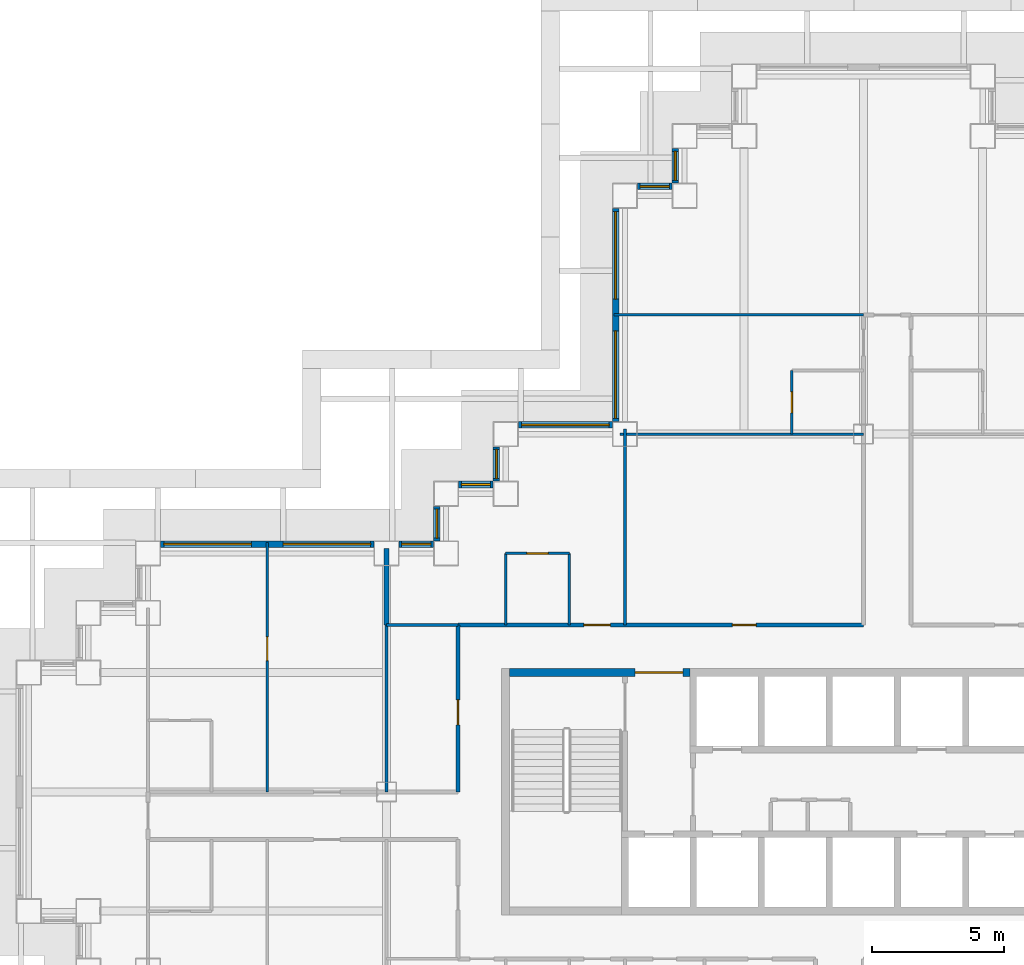
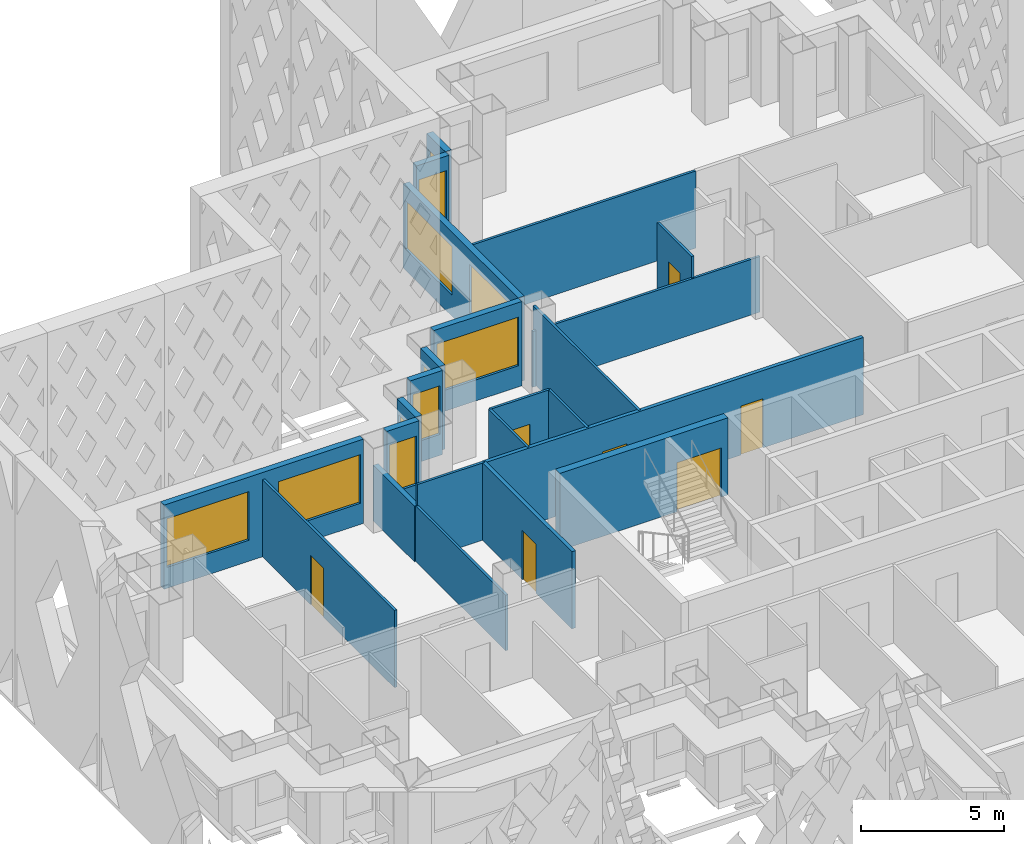
# One storey, part 7 of 19: 23 walls, 11 windows, 7 doors, 18 openings.
"""IFC4 building model written with IfcOpenShell, lengths in metres."""

from ifc_helpers import new_model, si_unit, direction, frame, frame_2d, origin, place, context, subcontext, project, spatial, rectangle, extrude, material, layer, layer_set, type_object, element, fill, save


model = new_model("IFC4")

# Units and contexts
model_context = context("Model", 3, precision=1e-05, world=origin(), true_north=direction((0.0, 1.0)))
body_context = subcontext(model_context, "Body", "Model", "MODEL_VIEW")
ifc_project = project(units=[si_unit("LENGTHUNIT", "METRE"), si_unit("AREAUNIT", "SQUARE_METRE"), si_unit("VOLUMEUNIT", "CUBIC_METRE"), si_unit("PLANEANGLEUNIT", "RADIAN"), si_unit("MASSUNIT", "GRAM", prefix="KILO")], contexts=[model_context])

# Site, building, storey
site_placement = place(None, origin())
site = spatial("IfcSite", under=ifc_project, at=site_placement, CompositionType="ELEMENT")
building_placement = place(site_placement, origin())
building = spatial("IfcBuilding", under=site, at=building_placement, Name="Caravel Reach Hotel and Residences", CompositionType="ELEMENT")
storey_placement = place(building_placement, frame((0.0, 0.0, 85.199951171875)))
storey = spatial("IfcBuildingStorey", under=building, at=storey_placement, Name="L20", CompositionType="ELEMENT", Elevation=85.199951171875)

# Wall, opening, door
ifc_material_1 = material(Name="Gypsum board on steel stud", Category="steel")
ifc_layer_1 = layer(ifc_material_1, 0.10009765625)
ifc_layer_set_1 = layer_set([ifc_layer_1], Name="Bathroom pod wall 100 mm")
wall_type_1 = type_object("IfcWallType", Name="Bathroom pod wall 100 mm", PredefinedType="PARTITIONING", material=ifc_layer_set_1)
wall_1_placement = place(storey_placement, frame((18.0, 36.0, 0.0), z_axis=(0.0, 0.0, 1.0), x_axis=(1.0, 0.0, 0.0)))
wall_1 = element("IfcWall", 1, at=wall_1_placement, inside=storey, type_object=wall_type_1, Name="L20 wall w079", PredefinedType="PARTITIONING", context=body_context, shape_type="SweptSolid", body=[
    extrude(rectangle(XDim=2.39990234375, YDim=0.10009765625, at=frame_2d((1.199951171875, 0.0))), origin(), (0.0, 0.0, 1.0), 3.300048828125),
])
opening_1_placement = place(wall_1_placement, frame((0.800048828125, 0.0, 0.0)))
opening_1 = element("IfcOpeningElement", 2, at=opening_1_placement, cuts=wall_1, Name="Opening D20-039", PredefinedType="OPENING", context=body_context, shape_type="SweptSolid", body=[
    extrude(rectangle(XDim=0.800048828125, YDim=2.10009765625, at=frame_2d((0.39990234375, 1.050048828125))), frame((0.0, 0.06005859375, 0.0), z_axis=(0.0, -1.0, 0.0), x_axis=(1.0, 0.0, 0.0)), (0.0, 0.0, 1.0), 0.1201171875),
])
ifc_material_2 = material(Name="Timber and steel door leaf", Category="steel")
door_type_1 = type_object("IfcDoorType", Name="Bathroom door 800 x 2100", OperationType="SINGLE_SWING_LEFT", PredefinedType="DOOR", material=ifc_material_2)
door_1_placement = place(opening_1_placement, origin())
door_1 = element("IfcDoor", 3, at=door_1_placement, inside=storey, type_object=door_type_1, Name="door D20-039", OperationType="SINGLE_SWING_LEFT", OverallHeight=2.10009765625, OverallWidth=0.800048828125, PredefinedType="DOOR", context=body_context, shape_type="SweptSolid", body=[
    extrude(rectangle(XDim=0.800048828125, YDim=2.10009765625, at=frame_2d((0.39990234375, 1.050048828125))), frame((0.0, 0.02490234375, 0.0), z_axis=(0.0, -1.0, 0.0), x_axis=(1.0, 0.0, 0.0)), (0.0, 0.0, 1.0), 0.050048828125),
])
fill(opening_1, door_1)

# Walls
for number, where, z_axis, x_axis, name in (
    (4, (18.0, 33.300048828125, 0.0), (0.0, 0.0, 1.0), (0.0, 1.0, 0.0), "L20 wall w083"),
    (5, (20.39990234375, 33.300048828125, 0.0), (0.0, 0.0, 1.0), (0.0, 1.0, 0.0), "L20 wall w084"),
):
    element("IfcWall", number, at=place(storey_placement, frame(where, z_axis=z_axis, x_axis=x_axis)), inside=storey, type_object=wall_type_1, Name=name, PredefinedType="PARTITIONING", context=body_context, shape_type="SweptSolid", body=[
        extrude(rectangle(XDim=2.699951171875, YDim=0.10009765625, at=frame_2d((1.35009765625, 0.0))), origin(), (0.0, 0.0, 1.0), 3.300048828125),
    ])

# Wall, opening, door
wall_2_placement = place(storey_placement, frame((28.800048828125, 40.5, 0.0), z_axis=(0.0, 0.0, 1.0), x_axis=(0.0, 1.0, 0.0)))
wall_2 = element("IfcWall", 6, at=wall_2_placement, inside=storey, type_object=wall_type_1, Name="L20 wall w087", PredefinedType="PARTITIONING", context=body_context, shape_type="SweptSolid", body=[
    extrude(rectangle(XDim=2.39990234375, YDim=0.10009765625, at=frame_2d((1.199951171875, 0.0))), origin(), (0.0, 0.0, 1.0), 3.300048828125),
])
opening_2_placement = place(wall_2_placement, frame((0.800048828125, 0.0, 0.0)))
opening_2 = element("IfcOpeningElement", 7, at=opening_2_placement, cuts=wall_2, Name="Opening D20-027", PredefinedType="OPENING", context=body_context, shape_type="SweptSolid", body=[
    extrude(rectangle(XDim=0.800048828125, YDim=2.10009765625, at=frame_2d((0.39990234375, 1.050048828125))), frame((0.0, 0.06005859375, 0.0), z_axis=(0.0, -1.0, 0.0), x_axis=(1.0, 0.0, 0.0)), (0.0, 0.0, 1.0), 0.1201171875),
])
door_2_placement = place(opening_2_placement, origin())
door_2 = element("IfcDoor", 8, at=door_2_placement, inside=storey, type_object=door_type_1, Name="door D20-027", OperationType="SINGLE_SWING_LEFT", OverallHeight=2.10009765625, OverallWidth=0.800048828125, PredefinedType="DOOR", context=body_context, shape_type="SweptSolid", body=[
    extrude(rectangle(XDim=0.800048828125, YDim=2.10009765625, at=frame_2d((0.39990234375, 1.050048828125))), frame((0.0, 0.02490234375, 0.0), z_axis=(0.0, -1.0, 0.0), x_axis=(1.0, 0.0, 0.0)), (0.0, 0.0, 1.0), 0.050048828125),
])
fill(opening_2, door_2)

ifc_material_3 = material(Name="Concrete C60", Category="concrete")
ifc_layer_2 = layer(ifc_material_3, 0.300048828125)
ifc_layer_set_2 = layer_set([ifc_layer_2], Name="Core wall 300 mm EI 120")
wall_type_2 = type_object("IfcWallType", Name="Core wall 300 mm EI 120", PredefinedType="SHEAR", material=ifc_layer_set_2)
wall_3_placement = place(storey_placement, frame((18.14990234375, 31.5, 0.0), z_axis=(0.0, 0.0, 1.0), x_axis=(1.0, 0.0, 0.0)))
wall_3 = element("IfcWall", 9, at=wall_3_placement, inside=storey, type_object=wall_type_2, Name="L20 core wall N1", PredefinedType="SHEAR", context=body_context, shape_type="SweptSolid", body=[
    extrude(rectangle(XDim=6.796630859375, YDim=0.300048828125, at=frame_2d((3.3984375, 0.0))), origin(), (0.0, 0.0, 1.0), 3.300048828125),
])
opening_3_placement = place(wall_3_placement, frame((4.735595703125, 0.0, 0.0)))
opening_3 = element("IfcOpeningElement", 10, at=opening_3_placement, cuts=wall_3, Name="Opening D20-014", PredefinedType="OPENING", context=body_context, shape_type="SweptSolid", body=[
    extrude(rectangle(XDim=1.800048828125, YDim=2.10009765625, at=frame_2d((0.89990234375, 1.050048828125))), frame((0.0, 0.159912109375, 0.0), z_axis=(0.0, -1.0, 0.0), x_axis=(1.0, 0.0, 0.0)), (0.0, 0.0, 1.0), 0.320068359375),
])
ifc_material_4 = material(Name="Steel fire door leaf", Category="steel")
door_type_2 = type_object("IfcDoorType", Name="Fire lobby door pair 1800 x 2100 EI 90", OperationType="DOUBLE_DOOR_SINGLE_SWING", PredefinedType="DOOR", material=ifc_material_4)
door_3_placement = place(opening_3_placement, origin())
door_3 = element("IfcDoor", 11, at=door_3_placement, inside=storey, type_object=door_type_2, Name="lobby N door pair to corridor", OperationType="DOUBLE_DOOR_SINGLE_SWING", OverallHeight=2.10009765625, OverallWidth=1.800048828125, PredefinedType="DOOR", context=body_context, shape_type="SweptSolid", body=[
    extrude(rectangle(XDim=1.800048828125, YDim=2.10009765625, at=frame_2d((0.89990234375, 1.050048828125))), frame((0.0, 0.02490234375, 0.0), z_axis=(0.0, -1.0, 0.0), x_axis=(1.0, 0.0, 0.0)), (0.0, 0.0, 1.0), 0.050048828125),
])
fill(opening_3, door_3)

# Wall, openings, doors
ifc_material_5 = material(Name="Gypsum board on steel stud, fire-rated", Category="steel")
ifc_layer_3 = layer(ifc_material_5, 0.14990234375)
ifc_layer_set_3 = layer_set([ifc_layer_3], Name="Corridor wall 150 mm EI 60")
wall_type_3 = type_object("IfcWallType", Name="Corridor wall 150 mm EI 60", PredefinedType="PARTITIONING", material=ifc_layer_set_3)
wall_4_placement = place(storey_placement, frame((16.199951171875, 33.300048828125, 0.0), z_axis=(0.0, 0.0, 1.0), x_axis=(1.0, 0.0, 0.0)))
wall_4 = element("IfcWall", 12, at=wall_4_placement, inside=storey, type_object=wall_type_3, Name="L20 wall w018", PredefinedType="PARTITIONING", context=body_context, shape_type="SweptSolid", body=[
    extrude(rectangle(XDim=15.300048828125, YDim=0.14990234375, at=frame_2d((7.64990234375, 0.0))), origin(), (0.0, 0.0, 1.0), 3.300048828125),
])
opening_4_placement = place(wall_4_placement, frame((4.75, 0.0, 0.0)))
opening_4 = element("IfcOpeningElement", 13, at=opening_4_placement, cuts=wall_4, Name="Opening D20-038", PredefinedType="OPENING", context=body_context, shape_type="SweptSolid", body=[
    extrude(rectangle(XDim=1.0, YDim=2.10009765625, at=frame_2d((0.5, 1.050048828125))), frame((0.0, 0.0849609375, 0.0), z_axis=(0.0, -1.0, 0.0), x_axis=(1.0, 0.0, 0.0)), (0.0, 0.0, 1.0), 0.169921875),
])
opening_5_placement = place(wall_4_placement, frame((10.35009765625, 0.0, 0.0)))
opening_5 = element("IfcOpeningElement", 14, at=opening_5_placement, cuts=wall_4, Name="Opening D20-048", PredefinedType="OPENING", context=body_context, shape_type="SweptSolid", body=[
    extrude(rectangle(XDim=0.89990234375, YDim=2.10009765625, at=frame_2d((0.449951171875, 1.050048828125))), frame((0.0, 0.0849609375, 0.0), z_axis=(0.0, -1.0, 0.0), x_axis=(1.0, 0.0, 0.0)), (0.0, 0.0, 1.0), 0.169921875),
])
ifc_material_6 = material(Name="Timber and steel door leaf", Category="steel")
door_type_3 = type_object("IfcDoorType", Name="Door 900 x 2100 timber", OperationType="SINGLE_SWING_LEFT", PredefinedType="DOOR", material=ifc_material_6)
door_4_placement = place(opening_5_placement, origin())
door_4 = element("IfcDoor", 15, at=door_4_placement, inside=storey, type_object=door_type_3, Name="door D20-048", OperationType="SINGLE_SWING_LEFT", OverallHeight=2.10009765625, OverallWidth=0.89990234375, PredefinedType="DOOR", context=body_context, shape_type="SweptSolid", body=[
    extrude(rectangle(XDim=0.89990234375, YDim=2.10009765625, at=frame_2d((0.449951171875, 1.050048828125))), frame((0.0, 0.02490234375, 0.0), z_axis=(0.0, -1.0, 0.0), x_axis=(1.0, 0.0, 0.0)), (0.0, 0.0, 1.0), 0.050048828125),
])
fill(opening_5, door_4)
ifc_material_7 = material(Name="Steel fire door leaf", Category="steel")
door_type_4 = type_object("IfcDoorType", Name="Guest room door 1000 x 2100 EI 30", OperationType="SINGLE_SWING_LEFT", PredefinedType="DOOR", material=ifc_material_7)
door_5_placement = place(opening_4_placement, origin())
door_5 = element("IfcDoor", 16, at=door_5_placement, inside=storey, type_object=door_type_4, Name="door D20-038", OperationType="SINGLE_SWING_RIGHT", OverallHeight=2.10009765625, OverallWidth=1.0, PredefinedType="DOOR", context=body_context, shape_type="SweptSolid", body=[
    extrude(rectangle(XDim=1.0, YDim=2.10009765625, at=frame_2d((0.5, 1.050048828125))), frame((0.0, 0.02490234375, 0.0), z_axis=(0.0, -1.0, 0.0), x_axis=(1.0, 0.0, 0.0)), (0.0, 0.0, 1.0), 0.050048828125),
])
fill(opening_4, door_5)

# Wall, opening, door
wall_5_placement = place(storey_placement, frame((16.199951171875, 27.0, 0.0), z_axis=(0.0, 0.0, 1.0), x_axis=(0.0, 1.0, 0.0)))
wall_5 = element("IfcWall", 17, at=wall_5_placement, inside=storey, type_object=wall_type_3, Name="L20 wall w024", PredefinedType="PARTITIONING", context=body_context, shape_type="SweptSolid", body=[
    extrude(rectangle(XDim=6.300048828125, YDim=0.14990234375, at=frame_2d((3.14990234375, 0.0))), origin(), (0.0, 0.0, 1.0), 3.300048828125),
])
opening_6_placement = place(wall_5_placement, frame((2.52490234375, 0.0, 0.0)))
opening_6 = element("IfcOpeningElement", 18, at=opening_6_placement, cuts=wall_5, Name="Opening D20-055", PredefinedType="OPENING", context=body_context, shape_type="SweptSolid", body=[
    extrude(rectangle(XDim=0.949951171875, YDim=2.10009765625, at=frame_2d((0.47509765625, 1.050048828125))), frame((0.0, 0.0849609375, 0.0), z_axis=(0.0, -1.0, 0.0), x_axis=(1.0, 0.0, 0.0)), (0.0, 0.0, 1.0), 0.169921875),
])
ifc_material_8 = material(Name="Timber and steel door leaf", Category="steel")
door_type_5 = type_object("IfcDoorType", Name="Accessible WC door 950 x 2100", OperationType="SINGLE_SWING_LEFT", PredefinedType="DOOR", material=ifc_material_8)
door_6_placement = place(opening_6_placement, origin())
door_6 = element("IfcDoor", 19, at=door_6_placement, inside=storey, type_object=door_type_5, Name="door D20-055", OperationType="SINGLE_SWING_LEFT", OverallHeight=2.10009765625, OverallWidth=0.949951171875, PredefinedType="DOOR", context=body_context, shape_type="SweptSolid", body=[
    extrude(rectangle(XDim=0.949951171875, YDim=2.10009765625, at=frame_2d((0.47509765625, 1.050048828125))), frame((0.0, 0.02490234375, 0.0), z_axis=(0.0, -1.0, 0.0), x_axis=(1.0, 0.0, 0.0)), (0.0, 0.0, 1.0), 0.050048828125),
])
fill(opening_6, door_6)

# Wall, opening, window
ifc_material_9 = material(Name="Insulated rainscreen wall, aluminium cladding", Category="aluminium")
ifc_layer_4 = layer(ifc_material_9, 0.25)
ifc_layer_set_4 = layer_set([ifc_layer_4], Name="EW1 Tower rainscreen wall")
wall_type_4 = type_object("IfcWallType", Name="EW1 Tower rainscreen wall", PredefinedType="SOLIDWALL", material=ifc_layer_set_4)
wall_6_placement = place(storey_placement, frame((24.39990234375, 51.27490234375, 0.0), z_axis=(0.0, 0.0, 1.0), x_axis=(0.0, -1.0, 0.0)))
wall_6 = element("IfcWall", 20, at=wall_6_placement, inside=storey, type_object=wall_type_4, Name="External wall L20 W38.1", PredefinedType="SOLIDWALL", context=body_context, shape_type="SweptSolid", body=[
    extrude(rectangle(XDim=1.2998046875, YDim=0.25, at=frame_2d((0.64990234375, 0.0))), origin(), (0.0, 0.0, 1.0), 3.60009765625),
])
opening_7_placement = place(wall_6_placement, frame((0.10009765625, 0.0, 0.89990234375)))
opening_7 = element("IfcOpeningElement", 21, at=opening_7_placement, cuts=wall_6, Name="Opening WN5", PredefinedType="OPENING", context=body_context, shape_type="SweptSolid", body=[
    extrude(rectangle(XDim=1.10009765625, YDim=2.080078125, at=frame_2d((0.550048828125, 1.0400390625))), frame((0.0, 0.135009765625, 0.0), z_axis=(0.0, -1.0, 0.0), x_axis=(1.0, 0.0, 0.0)), (0.0, 0.0, 1.0), 0.27001953125),
])
ifc_material_10 = material(Name="Dark low-e glazing in black aluminium frame", Category="aluminium")
window_type_1 = type_object("IfcWindowType", Name="Hotel suite corner window 1100 x 2080", PartitioningType="SINGLE_PANEL", PredefinedType="WINDOW", material=ifc_material_10)
window_1_placement = place(opening_7_placement, origin())
window_1 = element("IfcWindow", 22, at=window_1_placement, inside=storey, type_object=window_type_1, Name="Window L20 W38.1.1", OverallHeight=2.080078125, OverallWidth=1.10009765625, PartitioningType="SINGLE_PANEL", PredefinedType="WINDOW", context=body_context, shape_type="SweptSolid", body=[
    extrude(rectangle(XDim=1.10009765625, YDim=2.080078125, at=frame_2d((0.550048828125, 1.0400390625))), frame((0.0, 0.030029296875, 0.0), z_axis=(0.0, -1.0, 0.0), x_axis=(1.0, 0.0, 0.0)), (0.0, 0.0, 1.0), 0.06005859375),
])
fill(opening_7, window_1)

wall_7_placement = place(storey_placement, frame((24.27490234375, 49.85009765625, 0.0), z_axis=(0.0, 0.0, 1.0), x_axis=(-1.0, 0.0, 0.0)))
wall_7 = element("IfcWall", 23, at=wall_7_placement, inside=storey, type_object=wall_type_4, Name="External wall L20 N39.1", PredefinedType="SOLIDWALL", context=body_context, shape_type="SweptSolid", body=[
    extrude(rectangle(XDim=1.2998046875, YDim=0.25, at=frame_2d((0.64990234375, 0.0))), origin(), (0.0, 0.0, 1.0), 3.60009765625),
])
opening_8_placement = place(wall_7_placement, frame((0.10009765625, 0.0, 0.89990234375)))
opening_8 = element("IfcOpeningElement", 24, at=opening_8_placement, cuts=wall_7, Name="Opening WN5", PredefinedType="OPENING", context=body_context, shape_type="SweptSolid", body=[
    extrude(rectangle(XDim=1.10009765625, YDim=2.080078125, at=frame_2d((0.550048828125, 1.0400390625))), frame((0.0, 0.135009765625, 0.0), z_axis=(0.0, -1.0, 0.0), x_axis=(1.0, 0.0, 0.0)), (0.0, 0.0, 1.0), 0.27001953125),
])
window_2_placement = place(opening_8_placement, origin())
window_2 = element("IfcWindow", 25, at=window_2_placement, inside=storey, type_object=window_type_1, Name="Window L20 N39.1.1", OverallHeight=2.080078125, OverallWidth=1.10009765625, PartitioningType="SINGLE_PANEL", PredefinedType="WINDOW", context=body_context, shape_type="SweptSolid", body=[
    extrude(rectangle(XDim=1.10009765625, YDim=2.080078125, at=frame_2d((0.550048828125, 1.0400390625))), frame((0.0, 0.030029296875, 0.0), z_axis=(0.0, -1.0, 0.0), x_axis=(1.0, 0.0, 0.0)), (0.0, 0.0, 1.0), 0.06005859375),
])
fill(opening_8, window_2)

# Wall, openings, windows
wall_8_placement = place(storey_placement, frame((22.14990234375, 49.02490234375, 0.0), z_axis=(0.0, 0.0, 1.0), x_axis=(0.0, -1.0, 0.0)))
wall_8 = element("IfcWall", 26, at=wall_8_placement, inside=storey, type_object=wall_type_4, Name="External wall L20 W40.1", PredefinedType="SOLIDWALL", context=body_context, shape_type="SweptSolid", body=[
    extrude(rectangle(XDim=8.0498046875, YDim=0.25, at=frame_2d((4.02490234375, 0.0))), origin(), (0.0, 0.0, 1.0), 3.60009765625),
])
opening_9_placement = place(wall_8_placement, frame((0.125, 0.0, 0.89990234375)))
opening_9 = element("IfcOpeningElement", 27, at=opening_9_placement, cuts=wall_8, Name="Opening WN4", PredefinedType="OPENING", context=body_context, shape_type="SweptSolid", body=[
    extrude(rectangle(XDim=3.300048828125, YDim=2.080078125, at=frame_2d((1.64990234375, 1.0400390625))), frame((0.0, 0.135009765625, 0.0), z_axis=(0.0, -1.0, 0.0), x_axis=(1.0, 0.0, 0.0)), (0.0, 0.0, 1.0), 0.27001953125),
])
opening_10_placement = place(wall_8_placement, frame((4.625, 0.0, 0.89990234375)))
opening_10 = element("IfcOpeningElement", 28, at=opening_10_placement, cuts=wall_8, Name="Opening WN4", PredefinedType="OPENING", context=body_context, shape_type="SweptSolid", body=[
    extrude(rectangle(XDim=3.300048828125, YDim=2.080078125, at=frame_2d((1.64990234375, 1.0400390625))), frame((0.0, 0.135009765625, 0.0), z_axis=(0.0, -1.0, 0.0), x_axis=(1.0, 0.0, 0.0)), (0.0, 0.0, 1.0), 0.27001953125),
])
ifc_material_11 = material(Name="Dark low-e glazing in black aluminium frame", Category="aluminium")
window_type_2 = type_object("IfcWindowType", Name="Hotel guest room window 3300 x 2080", PartitioningType="SINGLE_PANEL", PredefinedType="WINDOW", material=ifc_material_11)
window_3_placement = place(opening_9_placement, origin())
window_3 = element("IfcWindow", 29, at=window_3_placement, inside=storey, type_object=window_type_2, Name="Window L20 W40.1.1", OverallHeight=2.080078125, OverallWidth=3.300048828125, PartitioningType="SINGLE_PANEL", PredefinedType="WINDOW", context=body_context, shape_type="SweptSolid", body=[
    extrude(rectangle(XDim=3.300048828125, YDim=2.080078125, at=frame_2d((1.64990234375, 1.0400390625))), frame((0.0, 0.030029296875, 0.0), z_axis=(0.0, -1.0, 0.0), x_axis=(1.0, 0.0, 0.0)), (0.0, 0.0, 1.0), 0.06005859375),
])
fill(opening_9, window_3)
window_4_placement = place(opening_10_placement, origin())
window_4 = element("IfcWindow", 30, at=window_4_placement, inside=storey, type_object=window_type_2, Name="Window L20 W40.1.2", OverallHeight=2.080078125, OverallWidth=3.300048828125, PartitioningType="SINGLE_PANEL", PredefinedType="WINDOW", context=body_context, shape_type="SweptSolid", body=[
    extrude(rectangle(XDim=3.300048828125, YDim=2.080078125, at=frame_2d((1.64990234375, 1.0400390625))), frame((0.0, 0.030029296875, 0.0), z_axis=(0.0, -1.0, 0.0), x_axis=(1.0, 0.0, 0.0)), (0.0, 0.0, 1.0), 0.06005859375),
])
fill(opening_10, window_4)

# Wall, opening, window
wall_9_placement = place(storey_placement, frame((22.02490234375, 40.85009765625, 0.0), z_axis=(0.0, 0.0, 1.0), x_axis=(-1.0, 0.0, 0.0)))
wall_9 = element("IfcWall", 31, at=wall_9_placement, inside=storey, type_object=wall_type_4, Name="External wall L20 N41.1", PredefinedType="SOLIDWALL", context=body_context, shape_type="SweptSolid", body=[
    extrude(rectangle(XDim=3.5498046875, YDim=0.25, at=frame_2d((1.77490234375, 0.0))), origin(), (0.0, 0.0, 1.0), 3.60009765625),
])
opening_11_placement = place(wall_9_placement, frame((0.125, 0.0, 0.89990234375)))
opening_11 = element("IfcOpeningElement", 32, at=opening_11_placement, cuts=wall_9, Name="Opening WN4", PredefinedType="OPENING", context=body_context, shape_type="SweptSolid", body=[
    extrude(rectangle(XDim=3.300048828125, YDim=2.080078125, at=frame_2d((1.64990234375, 1.0400390625))), frame((0.0, 0.135009765625, 0.0), z_axis=(0.0, -1.0, 0.0), x_axis=(1.0, 0.0, 0.0)), (0.0, 0.0, 1.0), 0.27001953125),
])
window_5_placement = place(opening_11_placement, origin())
window_5 = element("IfcWindow", 33, at=window_5_placement, inside=storey, type_object=window_type_2, Name="Window L20 N41.1.1", OverallHeight=2.080078125, OverallWidth=3.300048828125, PartitioningType="SINGLE_PANEL", PredefinedType="WINDOW", context=body_context, shape_type="SweptSolid", body=[
    extrude(rectangle(XDim=3.300048828125, YDim=2.080078125, at=frame_2d((1.64990234375, 1.0400390625))), frame((0.0, 0.030029296875, 0.0), z_axis=(0.0, -1.0, 0.0), x_axis=(1.0, 0.0, 0.0)), (0.0, 0.0, 1.0), 0.06005859375),
])
fill(opening_11, window_5)

wall_10_placement = place(storey_placement, frame((17.64990234375, 40.02490234375, 0.0), z_axis=(0.0, 0.0, 1.0), x_axis=(0.0, -1.0, 0.0)))
wall_10 = element("IfcWall", 34, at=wall_10_placement, inside=storey, type_object=wall_type_4, Name="External wall L20 W42.1", PredefinedType="SOLIDWALL", context=body_context, shape_type="SweptSolid", body=[
    extrude(rectangle(XDim=1.2998046875, YDim=0.25, at=frame_2d((0.64990234375, 0.0))), origin(), (0.0, 0.0, 1.0), 3.60009765625),
])
opening_12_placement = place(wall_10_placement, frame((0.10009765625, 0.0, 0.89990234375)))
opening_12 = element("IfcOpeningElement", 35, at=opening_12_placement, cuts=wall_10, Name="Opening WN5", PredefinedType="OPENING", context=body_context, shape_type="SweptSolid", body=[
    extrude(rectangle(XDim=1.10009765625, YDim=2.080078125, at=frame_2d((0.550048828125, 1.0400390625))), frame((0.0, 0.135009765625, 0.0), z_axis=(0.0, -1.0, 0.0), x_axis=(1.0, 0.0, 0.0)), (0.0, 0.0, 1.0), 0.27001953125),
])
window_6_placement = place(opening_12_placement, origin())
window_6 = element("IfcWindow", 36, at=window_6_placement, inside=storey, type_object=window_type_1, Name="Window L20 W42.1.1", OverallHeight=2.080078125, OverallWidth=1.10009765625, PartitioningType="SINGLE_PANEL", PredefinedType="WINDOW", context=body_context, shape_type="SweptSolid", body=[
    extrude(rectangle(XDim=1.10009765625, YDim=2.080078125, at=frame_2d((0.550048828125, 1.0400390625))), frame((0.0, 0.030029296875, 0.0), z_axis=(0.0, -1.0, 0.0), x_axis=(1.0, 0.0, 0.0)), (0.0, 0.0, 1.0), 0.06005859375),
])
fill(opening_12, window_6)

wall_11_placement = place(storey_placement, frame((17.52490234375, 38.60009765625, 0.0), z_axis=(0.0, 0.0, 1.0), x_axis=(-1.0, 0.0, 0.0)))
wall_11 = element("IfcWall", 37, at=wall_11_placement, inside=storey, type_object=wall_type_4, Name="External wall L20 N43.1", PredefinedType="SOLIDWALL", context=body_context, shape_type="SweptSolid", body=[
    extrude(rectangle(XDim=1.2998046875, YDim=0.25, at=frame_2d((0.64990234375, 0.0))), origin(), (0.0, 0.0, 1.0), 3.60009765625),
])
opening_13_placement = place(wall_11_placement, frame((0.10009765625, 0.0, 0.89990234375)))
opening_13 = element("IfcOpeningElement", 38, at=opening_13_placement, cuts=wall_11, Name="Opening WN5", PredefinedType="OPENING", context=body_context, shape_type="SweptSolid", body=[
    extrude(rectangle(XDim=1.10009765625, YDim=2.080078125, at=frame_2d((0.550048828125, 1.0400390625))), frame((0.0, 0.135009765625, 0.0), z_axis=(0.0, -1.0, 0.0), x_axis=(1.0, 0.0, 0.0)), (0.0, 0.0, 1.0), 0.27001953125),
])
window_7_placement = place(opening_13_placement, origin())
window_7 = element("IfcWindow", 39, at=window_7_placement, inside=storey, type_object=window_type_1, Name="Window L20 N43.1.1", OverallHeight=2.080078125, OverallWidth=1.10009765625, PartitioningType="SINGLE_PANEL", PredefinedType="WINDOW", context=body_context, shape_type="SweptSolid", body=[
    extrude(rectangle(XDim=1.10009765625, YDim=2.080078125, at=frame_2d((0.550048828125, 1.0400390625))), frame((0.0, 0.030029296875, 0.0), z_axis=(0.0, -1.0, 0.0), x_axis=(1.0, 0.0, 0.0)), (0.0, 0.0, 1.0), 0.06005859375),
])
fill(opening_13, window_7)

wall_12_placement = place(storey_placement, frame((15.39990234375, 37.77490234375, 0.0), z_axis=(0.0, 0.0, 1.0), x_axis=(0.0, -1.0, 0.0)))
wall_12 = element("IfcWall", 40, at=wall_12_placement, inside=storey, type_object=wall_type_4, Name="External wall L20 W44.1", PredefinedType="SOLIDWALL", context=body_context, shape_type="SweptSolid", body=[
    extrude(rectangle(XDim=1.2998046875, YDim=0.25, at=frame_2d((0.64990234375, 0.0))), origin(), (0.0, 0.0, 1.0), 3.60009765625),
])
opening_14_placement = place(wall_12_placement, frame((0.10009765625, 0.0, 0.89990234375)))
opening_14 = element("IfcOpeningElement", 41, at=opening_14_placement, cuts=wall_12, Name="Opening WN5", PredefinedType="OPENING", context=body_context, shape_type="SweptSolid", body=[
    extrude(rectangle(XDim=1.10009765625, YDim=2.080078125, at=frame_2d((0.550048828125, 1.0400390625))), frame((0.0, 0.135009765625, 0.0), z_axis=(0.0, -1.0, 0.0), x_axis=(1.0, 0.0, 0.0)), (0.0, 0.0, 1.0), 0.27001953125),
])
window_8_placement = place(opening_14_placement, origin())
window_8 = element("IfcWindow", 42, at=window_8_placement, inside=storey, type_object=window_type_1, Name="Window L20 W44.1.1", OverallHeight=2.080078125, OverallWidth=1.10009765625, PartitioningType="SINGLE_PANEL", PredefinedType="WINDOW", context=body_context, shape_type="SweptSolid", body=[
    extrude(rectangle(XDim=1.10009765625, YDim=2.080078125, at=frame_2d((0.550048828125, 1.0400390625))), frame((0.0, 0.030029296875, 0.0), z_axis=(0.0, -1.0, 0.0), x_axis=(1.0, 0.0, 0.0)), (0.0, 0.0, 1.0), 0.06005859375),
])
fill(opening_14, window_8)

wall_13_placement = place(storey_placement, frame((15.27490234375, 36.35009765625, 0.0), z_axis=(0.0, 0.0, 1.0), x_axis=(-1.0, 0.0, 0.0)))
wall_13 = element("IfcWall", 43, at=wall_13_placement, inside=storey, type_object=wall_type_4, Name="External wall L20 N45.1", PredefinedType="SOLIDWALL", context=body_context, shape_type="SweptSolid", body=[
    extrude(rectangle(XDim=1.2998046875, YDim=0.25, at=frame_2d((0.64990234375, 0.0))), origin(), (0.0, 0.0, 1.0), 3.60009765625),
])
opening_15_placement = place(wall_13_placement, frame((0.10009765625, 0.0, 0.89990234375)))
opening_15 = element("IfcOpeningElement", 44, at=opening_15_placement, cuts=wall_13, Name="Opening WN5", PredefinedType="OPENING", context=body_context, shape_type="SweptSolid", body=[
    extrude(rectangle(XDim=1.10009765625, YDim=2.080078125, at=frame_2d((0.550048828125, 1.0400390625))), frame((0.0, 0.135009765625, 0.0), z_axis=(0.0, -1.0, 0.0), x_axis=(1.0, 0.0, 0.0)), (0.0, 0.0, 1.0), 0.27001953125),
])
window_9_placement = place(opening_15_placement, origin())
window_9 = element("IfcWindow", 45, at=window_9_placement, inside=storey, type_object=window_type_1, Name="Window L20 N45.1.1", OverallHeight=2.080078125, OverallWidth=1.10009765625, PartitioningType="SINGLE_PANEL", PredefinedType="WINDOW", context=body_context, shape_type="SweptSolid", body=[
    extrude(rectangle(XDim=1.10009765625, YDim=2.080078125, at=frame_2d((0.550048828125, 1.0400390625))), frame((0.0, 0.030029296875, 0.0), z_axis=(0.0, -1.0, 0.0), x_axis=(1.0, 0.0, 0.0)), (0.0, 0.0, 1.0), 0.06005859375),
])
fill(opening_15, window_9)

# Wall, openings, windows
wall_14_placement = place(storey_placement, frame((13.02490234375, 36.35009765625, 0.0), z_axis=(0.0, 0.0, 1.0), x_axis=(-1.0, 0.0, 0.0)))
wall_14 = element("IfcWall", 46, at=wall_14_placement, inside=storey, type_object=wall_type_4, Name="External wall L20 N45.2", PredefinedType="SOLIDWALL", context=body_context, shape_type="SweptSolid", body=[
    extrude(rectangle(XDim=8.0498046875, YDim=0.25, at=frame_2d((4.02490234375, 0.0))), origin(), (0.0, 0.0, 1.0), 3.60009765625),
])
opening_16_placement = place(wall_14_placement, frame((0.125, 0.0, 0.89990234375)))
opening_16 = element("IfcOpeningElement", 47, at=opening_16_placement, cuts=wall_14, Name="Opening WN4", PredefinedType="OPENING", context=body_context, shape_type="SweptSolid", body=[
    extrude(rectangle(XDim=3.300048828125, YDim=2.080078125, at=frame_2d((1.64990234375, 1.0400390625))), frame((0.0, 0.135009765625, 0.0), z_axis=(0.0, -1.0, 0.0), x_axis=(1.0, 0.0, 0.0)), (0.0, 0.0, 1.0), 0.27001953125),
])
opening_17_placement = place(wall_14_placement, frame((4.625, 0.0, 0.89990234375)))
opening_17 = element("IfcOpeningElement", 48, at=opening_17_placement, cuts=wall_14, Name="Opening WN4", PredefinedType="OPENING", context=body_context, shape_type="SweptSolid", body=[
    extrude(rectangle(XDim=3.300048828125, YDim=2.080078125, at=frame_2d((1.64990234375, 1.0400390625))), frame((0.0, 0.135009765625, 0.0), z_axis=(0.0, -1.0, 0.0), x_axis=(1.0, 0.0, 0.0)), (0.0, 0.0, 1.0), 0.27001953125),
])
window_10_placement = place(opening_16_placement, origin())
window_10 = element("IfcWindow", 49, at=window_10_placement, inside=storey, type_object=window_type_2, Name="Window L20 N45.2.1", OverallHeight=2.080078125, OverallWidth=3.300048828125, PartitioningType="SINGLE_PANEL", PredefinedType="WINDOW", context=body_context, shape_type="SweptSolid", body=[
    extrude(rectangle(XDim=3.300048828125, YDim=2.080078125, at=frame_2d((1.64990234375, 1.0400390625))), frame((0.0, 0.030029296875, 0.0), z_axis=(0.0, -1.0, 0.0), x_axis=(1.0, 0.0, 0.0)), (0.0, 0.0, 1.0), 0.06005859375),
])
fill(opening_16, window_10)
window_11_placement = place(opening_17_placement, origin())
window_11 = element("IfcWindow", 50, at=window_11_placement, inside=storey, type_object=window_type_2, Name="Window L20 N45.2.2", OverallHeight=2.080078125, OverallWidth=3.300048828125, PartitioningType="SINGLE_PANEL", PredefinedType="WINDOW", context=body_context, shape_type="SweptSolid", body=[
    extrude(rectangle(XDim=3.300048828125, YDim=2.080078125, at=frame_2d((1.64990234375, 1.0400390625))), frame((0.0, 0.030029296875, 0.0), z_axis=(0.0, -1.0, 0.0), x_axis=(1.0, 0.0, 0.0)), (0.0, 0.0, 1.0), 0.06005859375),
])
fill(opening_17, window_11)

# Walls
ifc_material_12 = material(Name="Gypsum board on steel stud", Category="steel")
ifc_layer_5 = layer(ifc_material_12, 0.10009765625)
ifc_layer_set_5 = layer_set([ifc_layer_5], Name="Partition 100 mm")
wall_type_5 = type_object("IfcWallType", Name="Partition 100 mm", PredefinedType="PARTITIONING", material=ifc_layer_set_5)
wall_15_placement = place(storey_placement, frame((13.5, 33.300048828125, 0.0), z_axis=(0.0, 0.0, 1.0), x_axis=(1.0, 0.0, 0.0)))
element("IfcWall", 51, at=wall_15_placement, inside=storey, type_object=wall_type_5, Name="L20 wall w043", PredefinedType="PARTITIONING", context=body_context, shape_type="SweptSolid", body=[
    extrude(rectangle(XDim=2.699951171875, YDim=0.10009765625, at=frame_2d((1.35009765625, 0.0))), origin(), (0.0, 0.0, 1.0), 3.300048828125),
])
wall_16_placement = place(storey_placement, frame((22.31005859375, 40.5, 0.0), z_axis=(0.0, 0.0, 1.0), x_axis=(1.0, 0.0, 0.0)))
element("IfcWall", 52, at=wall_16_placement, inside=storey, type_object=wall_type_5, Name="L20 wall w046", PredefinedType="PARTITIONING", context=body_context, shape_type="SweptSolid", body=[
    extrude(rectangle(XDim=9.18994140625, YDim=0.10009765625, at=frame_2d((4.594970703125, 0.0))), origin(), (0.0, 0.0, 1.0), 2.380126953125),
])
wall_17_placement = place(storey_placement, frame((22.0849609375, 45.0, 0.0), z_axis=(0.0, 0.0, 1.0), x_axis=(1.0, 0.0, 0.0)))
element("IfcWall", 53, at=wall_17_placement, inside=storey, type_object=wall_type_5, Name="L20 wall w048", PredefinedType="PARTITIONING", context=body_context, shape_type="SweptSolid", body=[
    extrude(rectangle(XDim=9.4150390625, YDim=0.10009765625, at=frame_2d((4.70751953125, 0.0))), origin(), (0.0, 0.0, 1.0), 3.300048828125),
])
wall_18_placement = place(storey_placement, frame((13.5, 27.0, 0.0), z_axis=(0.0, 0.0, 1.0), x_axis=(0.0, 1.0, 0.0)))
element("IfcWall", 54, at=wall_18_placement, inside=storey, type_object=wall_type_5, Name="L20 wall w051", PredefinedType="PARTITIONING", context=body_context, shape_type="SweptSolid", body=[
    extrude(rectangle(XDim=6.300048828125, YDim=0.10009765625, at=frame_2d((3.14990234375, 0.0))), origin(), (0.0, 0.0, 1.0), 2.380126953125),
])
wall_19_placement = place(storey_placement, frame((22.5, 33.300048828125, 0.0), z_axis=(0.0, 0.0, 1.0), x_axis=(0.0, 1.0, 0.0)))
element("IfcWall", 55, at=wall_19_placement, inside=storey, type_object=wall_type_5, Name="L20 wall w055", PredefinedType="PARTITIONING", context=body_context, shape_type="SweptSolid", body=[
    extrude(rectangle(XDim=7.389892578125, YDim=0.10009765625, at=frame_2d((3.69482421875, 0.0))), origin(), (0.0, 0.0, 1.0), 3.300048828125),
])

# Wall, opening, door
wall_20_placement = place(storey_placement, frame((9.0, 27.0, 0.0), z_axis=(0.0, 0.0, 1.0), x_axis=(0.0, 1.0, 0.0)))
wall_20 = element("IfcWall", 56, at=wall_20_placement, inside=storey, type_object=wall_type_5, Name="L20 wall w067", PredefinedType="PARTITIONING", context=body_context, shape_type="SweptSolid", body=[
    extrude(rectangle(XDim=9.4150390625, YDim=0.10009765625, at=frame_2d((4.70751953125, 0.0))), origin(), (0.0, 0.0, 1.0), 3.300048828125),
])
opening_18_placement = place(wall_20_placement, frame((4.949951171875, 0.0, 0.0)))
opening_18 = element("IfcOpeningElement", 57, at=opening_18_placement, cuts=wall_20, Name="Opening D20-020", PredefinedType="OPENING", context=body_context, shape_type="SweptSolid", body=[
    extrude(rectangle(XDim=0.89990234375, YDim=2.10009765625, at=frame_2d((0.449951171875, 1.050048828125))), frame((0.0, 0.06005859375, 0.0), z_axis=(0.0, -1.0, 0.0), x_axis=(1.0, 0.0, 0.0)), (0.0, 0.0, 1.0), 0.1201171875),
])
door_7_placement = place(opening_18_placement, origin())
door_7 = element("IfcDoor", 58, at=door_7_placement, inside=storey, type_object=door_type_3, Name="door D20-020", OperationType="SINGLE_SWING_RIGHT", OverallHeight=2.10009765625, OverallWidth=0.89990234375, PredefinedType="DOOR", context=body_context, shape_type="SweptSolid", body=[
    extrude(rectangle(XDim=0.89990234375, YDim=2.10009765625, at=frame_2d((0.449951171875, 1.050048828125))), frame((0.0, 0.02490234375, 0.0), z_axis=(0.0, -1.0, 0.0), x_axis=(1.0, 0.0, 0.0)), (0.0, 0.0, 1.0), 0.050048828125),
])
fill(opening_18, door_7)

# Wall
ifc_material_13 = material(Name="Autoclaved aerated block wall")
ifc_layer_6 = layer(ifc_material_13, 0.199951171875)
ifc_layer_set_6 = layer_set([ifc_layer_6], Name="Party wall 200 mm EI 60")
wall_type_6 = type_object("IfcWallType", Name="Party wall 200 mm EI 60", PredefinedType="PARTITIONING", material=ifc_layer_set_6)
wall_21_placement = place(storey_placement, frame((13.5, 33.300048828125, 0.0), z_axis=(0.0, 0.0, 1.0), x_axis=(0.0, 1.0, 0.0)))
element("IfcWall", 59, at=wall_21_placement, inside=storey, type_object=wall_type_6, Name="L20 wall w069", PredefinedType="PARTITIONING", context=body_context, shape_type="SweptSolid", body=[
    extrude(rectangle(XDim=2.889892578125, YDim=0.199951171875, at=frame_2d((1.44482421875, 0.0))), origin(), (0.0, 0.0, 1.0), 2.380126953125),
])

save(model, "model.ifc")
